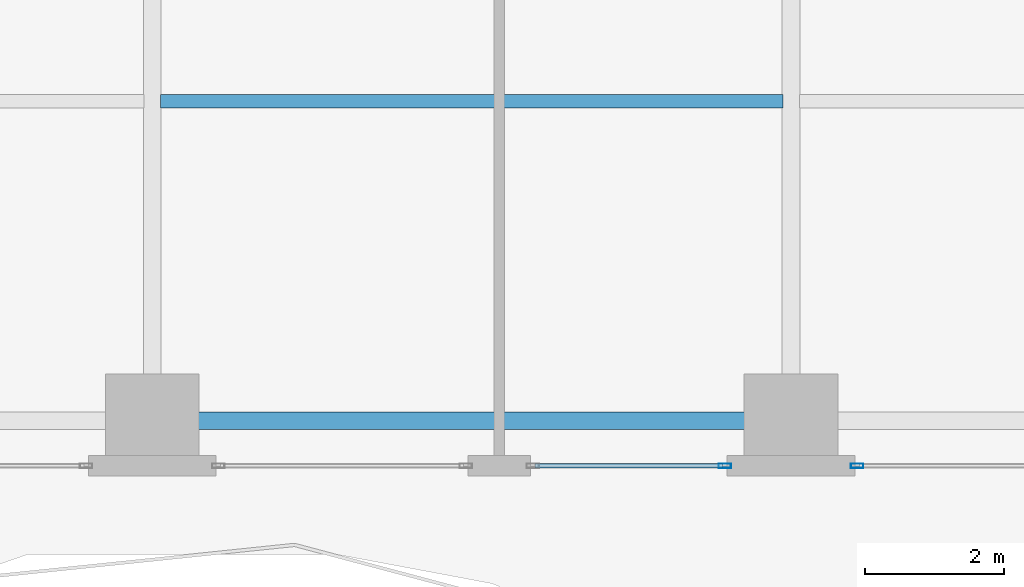
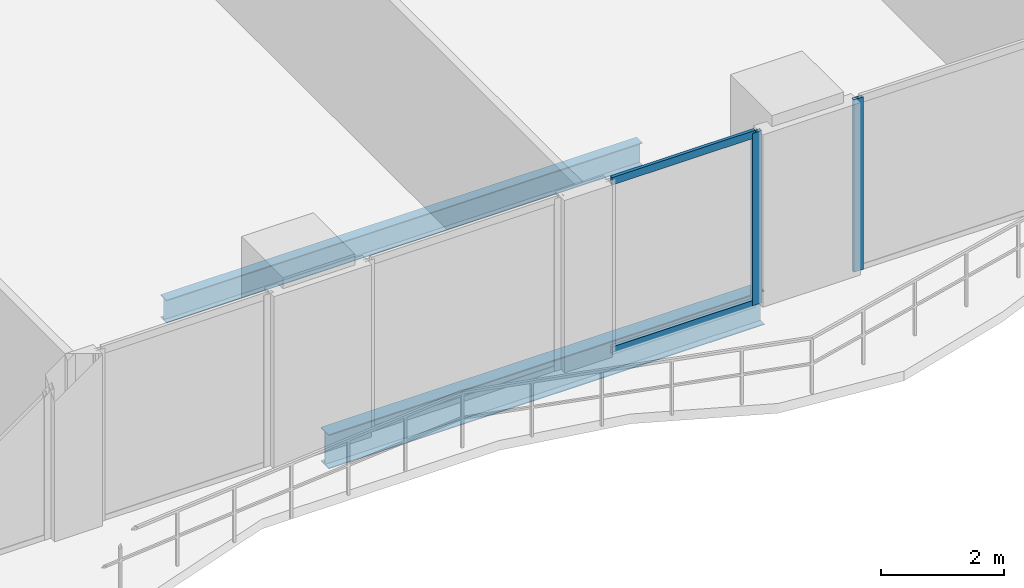
# One storey, part 5 of 28: 4 members, 2 beams, 2 elements without a shape of their own.
"""IFC4 building model written with IfcOpenShell, lengths in metres."""

from ifc_helpers import new_model, si_unit, direction, frame, origin, origin_2d, place, context, subcontext, project, spatial, hollow_rectangle, i_section, extrude, material, layer, layer_set, material_profile, profile_set, type_object, element, aggregate, save


model = new_model("IFC4")

# Units and contexts
model_context = context("Model", 3, precision=1e-05, world=origin(), true_north=direction((0.0, 1.0)))
body_context = subcontext(model_context, "Body", "Model", "MODEL_VIEW")
ifc_project = project(units=[si_unit("LENGTHUNIT", "METRE"), si_unit("AREAUNIT", "SQUARE_METRE"), si_unit("VOLUMEUNIT", "CUBIC_METRE"), si_unit("PLANEANGLEUNIT", "RADIAN"), si_unit("MASSUNIT", "GRAM", prefix="KILO")], contexts=[model_context])

# Site, building, storey
site_placement = place(None, origin())
site = spatial("IfcSite", under=ifc_project, at=site_placement, CompositionType="ELEMENT")
building_placement = place(site_placement, origin())
building = spatial("IfcBuilding", under=site, at=building_placement, Name="Zuhayl Quay Hotel", CompositionType="ELEMENT")
storey_placement = place(building_placement, frame((0.0, 0.0, 121.199951171875)))
storey = spatial("IfcBuildingStorey", under=building, at=storey_placement, Name="L30", CompositionType="ELEMENT", Elevation=121.199951171875)

# Beams
ifc_material_1 = material(Name="Steel ASTM A992 Grade 50", Category="steel")
ifc_material_profile_1 = material_profile(ifc_material_1, i_section(OverallWidth=0.25390625, OverallDepth=0.68310546875, WebThickness=0.012451171875, FlangeThickness=0.018798828125, at=origin_2d()), Name="W27X94")
ifc_profile_set_1 = profile_set([ifc_material_profile_1], Name="Steel ASTM A992 Grade 50")
beam_type_1 = type_object("IfcBeamType", Name="BM_B2_W27X94", PredefinedType="BEAM", material=ifc_profile_set_1)
beam_1_placement = place(storey_placement, frame((-4.10009765625, -14.75, -0.5615234375), z_axis=(1.0, 0.0, 0.0), x_axis=(0.0, 1.0, 0.0)))
element("IfcBeam", 1, at=beam_1_placement, inside=storey, type_object=beam_type_1, Name="L30 Floor Beam RG_L30_02", PredefinedType="BEAM", context=body_context, shape_type="SweptSolid", body=[
    extrude(i_section(OverallWidth=0.25390625, OverallDepth=0.68310546875, WebThickness=0.012451171875, FlangeThickness=0.018798828125, at=origin_2d()), origin(), (0.0, 0.0, 1.0), 8.2001953125),
])
ifc_material_profile_2 = material_profile(ifc_material_1, i_section(OverallWidth=0.18994140625, OverallDepth=0.45703125, WebThickness=0.009033203125, FlangeThickness=0.014404296875, at=origin_2d()), Name="W18X50")
ifc_profile_set_2 = profile_set([ifc_material_profile_2], Name="Steel ASTM A992 Grade 50")
beam_type_2 = type_object("IfcBeamType", Name="BM_J2_W18X50", PredefinedType="JOIST", material=ifc_profile_set_2)
beam_2_placement = place(storey_placement, frame((-4.48095703125, -10.14990234375, -0.448486328125), z_axis=(1.0, 0.0, 0.0), x_axis=(0.0, 1.0, 0.0)))
element("IfcBeam", 2, at=beam_2_placement, inside=storey, type_object=beam_type_2, Name="L30 Floor Beam FJ_L30_5_2", PredefinedType="JOIST", context=body_context, shape_type="SweptSolid", body=[
    extrude(i_section(OverallWidth=0.18994140625, OverallDepth=0.45703125, WebThickness=0.009033203125, FlangeThickness=0.014404296875, at=origin_2d()), origin(), (0.0, 0.0, 1.0), 8.9619140625),
])

# Curtain wall, member
ifc_material_2 = material(Name="Anodised Aluminium 6063-T6", Category="aluminium")
ifc_layer = layer(ifc_material_2, 0.179931640625, Name="Anodised Aluminium 6063-T6", Category="aluminium")
ifc_layer_set = layer_set([ifc_layer], Name="Anodised Aluminium 6063-T6")
curtain_wall_type = type_object("IfcCurtainWallType", Name="CW_SYS_Z2", PredefinedType="USERDEFINED", material=ifc_layer_set)
curtain_wall_1_placement = place(storey_placement, origin())
curtain_wall_1 = element("IfcCurtainWall", 3, at=curtain_wall_1_placement, inside=storey, type_object=curtain_wall_type, Name="L30 Curtain Wall ENV_L30_S_CW3", ObjectType="UNITISED CURTAIN WALL", PredefinedType="USERDEFINED")
ifc_material_3 = material(Name="Black-anodised aluminium 6063-T6", Category="aluminium")
ifc_material_profile_3 = material_profile(ifc_material_3, hollow_rectangle(XDim=0.06494140625, YDim=0.179931640625, WallThickness=0.00341796875, at=origin_2d()), Name="ALU180X65")
ifc_profile_set_3 = profile_set([ifc_material_profile_3], Name="Black-anodised aluminium 6063-T6")
member_type_1 = type_object("IfcMemberType", Name="MB_CW_MUL_180", PredefinedType="MULLION", material=ifc_profile_set_3)
member_1_placement = place(storey_placement, frame((5.552490234375, -15.39990234375, 0.0), z_axis=(0.0, 0.0, 1.0), x_axis=(0.0, -1.0, 0.0)))
member_1 = element("IfcMember", 4, at=member_1_placement, type_object=member_type_1, Name="CW-Z2 mullion 2", PredefinedType="MULLION", context=body_context, shape_type="SweptSolid", body=[
    extrude(hollow_rectangle(XDim=0.06494140625, YDim=0.179931640625, WallThickness=0.00341796875, at=origin_2d()), origin(), (0.0, 0.0, 1.0), 3.429931640625),
])
aggregate(curtain_wall_1, [member_1])

# Curtain wall, members
curtain_wall_2_placement = place(storey_placement, origin())
curtain_wall_2 = element("IfcCurtainWall", 5, at=curtain_wall_2_placement, inside=storey, type_object=curtain_wall_type, Name="L30 Curtain Wall ENV_L30_S_CW4", ObjectType="UNITISED CURTAIN WALL", PredefinedType="USERDEFINED")
member_2_placement = place(storey_placement, frame((3.6474609375, -15.39990234375, 0.0), z_axis=(0.0, 0.0, 1.0), x_axis=(0.0, -1.0, 0.0)))
member_2 = element("IfcMember", 6, at=member_2_placement, type_object=member_type_1, Name="CW-Z2 mullion 1", PredefinedType="MULLION", context=body_context, shape_type="SweptSolid", body=[
    extrude(hollow_rectangle(XDim=0.06494140625, YDim=0.179931640625, WallThickness=0.00341796875, at=origin_2d()), origin(), (0.0, 0.0, 1.0), 3.429931640625),
])
ifc_material_profile_4 = material_profile(ifc_material_3, hollow_rectangle(XDim=0.06005859375, YDim=0.14990234375, WallThickness=0.00341796875, at=origin_2d()), Name="ALU150X60")
ifc_profile_set_4 = profile_set([ifc_material_profile_4], Name="Black-anodised aluminium 6063-T6")
member_type_2 = type_object("IfcMemberType", Name="MB_CW_TRN_150", PredefinedType="USERDEFINED", material=ifc_profile_set_4)
member_3_placement = place(storey_placement, frame((3.614990234375, -15.39990234375, 0.030029296875), z_axis=(-1.0, 0.0, 0.0), x_axis=(0.0, -1.0, 0.0)))
member_3 = element("IfcMember", 7, at=member_3_placement, type_object=member_type_2, Name="CW-Z2 transom 1.1", ObjectType="TRANSOM", PredefinedType="USERDEFINED", context=body_context, shape_type="SweptSolid", body=[
    extrude(hollow_rectangle(XDim=0.06005859375, YDim=0.14990234375, WallThickness=0.00341796875, at=origin_2d()), origin(), (0.0, 0.0, 1.0), 2.699951171875),
])
member_4_placement = place(storey_placement, frame((3.614990234375, -15.39990234375, 3.400146484375), z_axis=(-1.0, 0.0, 0.0), x_axis=(0.0, -1.0, 0.0)))
member_4 = element("IfcMember", 8, at=member_4_placement, type_object=member_type_2, Name="CW-Z2 transom 1.2", ObjectType="TRANSOM", PredefinedType="USERDEFINED", context=body_context, shape_type="SweptSolid", body=[
    extrude(hollow_rectangle(XDim=0.06005859375, YDim=0.14990234375, WallThickness=0.00341796875, at=origin_2d()), origin(), (0.0, 0.0, 1.0), 2.699951171875),
])
aggregate(curtain_wall_2, [member_2, member_3, member_4])

save(model, "model.ifc")
